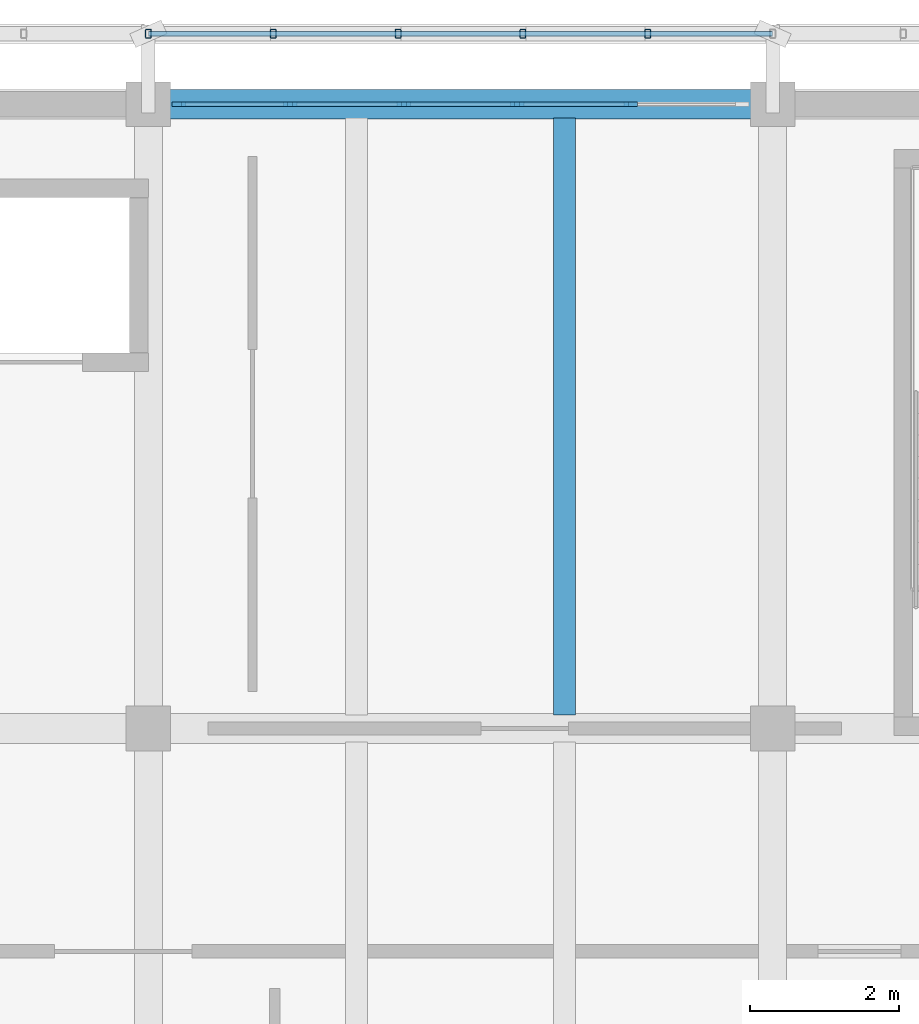
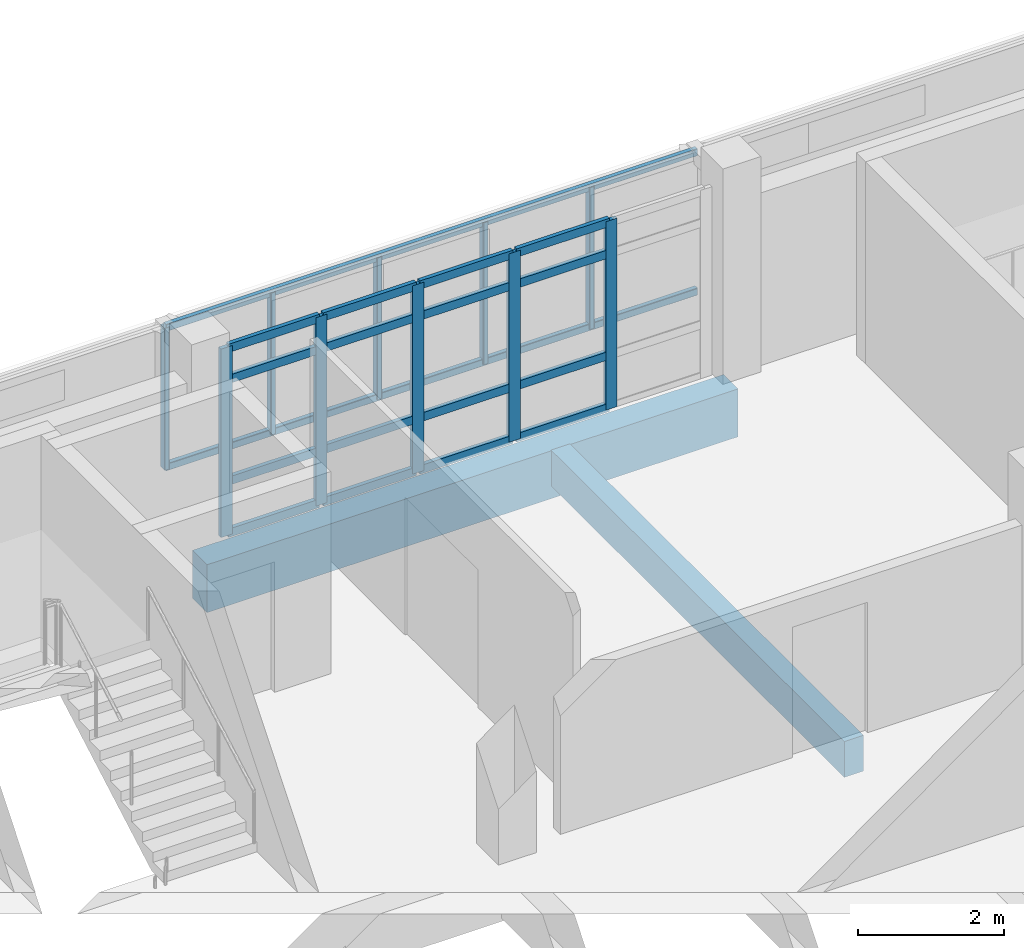
# One storey, part 21 of 50: 28 members, 2 beams, 1 element without a shape of its own.
"""IFC4 building model written with IfcOpenShell, lengths in metres."""

from ifc_helpers import new_model, si_unit, direction, frame, origin, origin_2d, place, context, subcontext, project, spatial, rectangle, hollow_rectangle, extrude, material, material_profile, profile_set, type_object, element, aggregate, save


model = new_model("IFC4")

# Units and contexts
model_context = context("Model", 3, precision=1e-05, world=origin(), true_north=direction((0.0, 1.0)))
body_context = subcontext(model_context, "Body", "Model", "MODEL_VIEW")
ifc_project = project(units=[si_unit("LENGTHUNIT", "METRE"), si_unit("AREAUNIT", "SQUARE_METRE"), si_unit("VOLUMEUNIT", "CUBIC_METRE"), si_unit("PLANEANGLEUNIT", "RADIAN"), si_unit("MASSUNIT", "GRAM", prefix="KILO")], contexts=[model_context])

# Site, building, storey
site_placement = place(None, origin())
site = spatial("IfcSite", under=ifc_project, at=site_placement, CompositionType="ELEMENT")
building_placement = place(site_placement, origin())
building = spatial("IfcBuilding", under=site, at=building_placement, Name="Cinderway Yard Community Centre", CompositionType="ELEMENT")
storey_placement = place(building_placement, frame((0.0, 0.0, 12.89990234375)))
storey = spatial("IfcBuildingStorey", under=building, at=storey_placement, Name="L03", CompositionType="ELEMENT", Elevation=12.89990234375)

# Curtain wall, members
ifc_material_1 = material(Name="Aluminium 6063-T6", Category="aluminium")
curtain_wall_type = type_object("IfcCurtainWallType", Name="ENV-CW-TYPE-32", PredefinedType="USERDEFINED", material=ifc_material_1)
curtain_wall_placement = place(storey_placement, origin())
curtain_wall = element("IfcCurtainWall", 1, at=curtain_wall_placement, inside=storey, type_object=curtain_wall_type, Name="V4 Street Curtain Wall ENV-CW-L03-HS-0163", ObjectType="GLAZED CURTAIN WALL", PredefinedType="USERDEFINED")
ifc_material_profile_1 = material_profile(ifc_material_1, rectangle(XDim=0.06494140625, YDim=0.179931640625, at=origin_2d()), Name="Aluminium 6063-T6")
ifc_profile_set_1 = profile_set([ifc_material_profile_1], Name="Aluminium 6063-T6")
member_type_1 = type_object("IfcMemberType", Name="ENV-CW-MULL-180", PredefinedType="MULLION", material=ifc_profile_set_1)
member_1_placement = place(storey_placement, frame((67.2099609375, 115.199951171875, 0.0), z_axis=(0.0, 0.0, 1.0), x_axis=(0.0, 1.0, 0.0)))
member_1 = element("IfcMember", 2, at=member_1_placement, type_object=member_type_1, Name="CW-32 mullion 1", PredefinedType="MULLION", context=body_context, shape_type="SweptSolid", body=[
    extrude(rectangle(XDim=0.06494140625, YDim=0.179931640625, at=origin_2d()), origin(), (0.0, 0.0, 1.0), 3.150146484375),
])
member_2_placement = place(storey_placement, frame((68.7080078125, 115.199951171875, 0.0), z_axis=(0.0, 0.0, 1.0), x_axis=(0.0, 1.0, 0.0)))
member_2 = element("IfcMember", 3, at=member_2_placement, type_object=member_type_1, Name="CW-32 mullion 2", PredefinedType="MULLION", context=body_context, shape_type="SweptSolid", body=[
    extrude(rectangle(XDim=0.06494140625, YDim=0.179931640625, at=origin_2d()), origin(), (0.0, 0.0, 1.0), 3.150146484375),
])
member_3_placement = place(storey_placement, frame((70.236083984375, 115.199951171875, 0.0), z_axis=(0.0, 0.0, 1.0), x_axis=(0.0, 1.0, 0.0)))
member_3 = element("IfcMember", 4, at=member_3_placement, type_object=member_type_1, Name="CW-32 mullion 3", PredefinedType="MULLION", context=body_context, shape_type="SweptSolid", body=[
    extrude(rectangle(XDim=0.06494140625, YDim=0.179931640625, at=origin_2d()), origin(), (0.0, 0.0, 1.0), 3.150146484375),
])
member_4_placement = place(storey_placement, frame((71.763916015625, 115.199951171875, 0.0), z_axis=(0.0, 0.0, 1.0), x_axis=(0.0, 1.0, 0.0)))
member_4 = element("IfcMember", 5, at=member_4_placement, type_object=member_type_1, Name="CW-32 mullion 4", PredefinedType="MULLION", context=body_context, shape_type="SweptSolid", body=[
    extrude(rectangle(XDim=0.06494140625, YDim=0.179931640625, at=origin_2d()), origin(), (0.0, 0.0, 1.0), 3.150146484375),
])
member_5_placement = place(storey_placement, frame((73.2919921875, 115.199951171875, 0.0), z_axis=(0.0, 0.0, 1.0), x_axis=(0.0, 1.0, 0.0)))
member_5 = element("IfcMember", 6, at=member_5_placement, type_object=member_type_1, Name="CW-32 mullion 5", PredefinedType="MULLION", context=body_context, shape_type="SweptSolid", body=[
    extrude(rectangle(XDim=0.06494140625, YDim=0.179931640625, at=origin_2d()), origin(), (0.0, 0.0, 1.0), 3.150146484375),
])
ifc_material_profile_2 = material_profile(ifc_material_1, rectangle(XDim=0.06494140625, YDim=0.139892578125, at=origin_2d()), Name="Aluminium 6063-T6")
ifc_profile_set_2 = profile_set([ifc_material_profile_2], Name="Aluminium 6063-T6")
member_type_2 = type_object("IfcMemberType", Name="ENV-CW-TRAN-140", PredefinedType="USERDEFINED", material=ifc_profile_set_2)
member_6_placement = place(storey_placement, frame((67.239990234375, 115.199951171875, 0.030029296875), z_axis=(1.0, 0.0, 0.0), x_axis=(0.0, 1.0, 0.0)))
member_6 = element("IfcMember", 7, at=member_6_placement, type_object=member_type_2, Name="CW-32 transom 1.1", ObjectType="TRANSOM", PredefinedType="USERDEFINED", context=body_context, shape_type="SweptSolid", body=[
    extrude(rectangle(XDim=0.06494140625, YDim=0.139892578125, at=origin_2d()), origin(), (0.0, 0.0, 1.0), 1.43798828125),
])
member_7_placement = place(storey_placement, frame((67.239990234375, 115.199951171875, 0.900146484375), z_axis=(1.0, 0.0, 0.0), x_axis=(0.0, 1.0, 0.0)))
member_7 = element("IfcMember", 8, at=member_7_placement, type_object=member_type_2, Name="CW-32 transom 1.2", ObjectType="TRANSOM", PredefinedType="USERDEFINED", context=body_context, shape_type="SweptSolid", body=[
    extrude(rectangle(XDim=0.06494140625, YDim=0.139892578125, at=origin_2d()), origin(), (0.0, 0.0, 1.0), 1.43798828125),
])
member_8_placement = place(storey_placement, frame((67.239990234375, 115.199951171875, 2.60009765625), z_axis=(1.0, 0.0, 0.0), x_axis=(0.0, 1.0, 0.0)))
member_8 = element("IfcMember", 9, at=member_8_placement, type_object=member_type_2, Name="CW-32 transom 1.3", ObjectType="TRANSOM", PredefinedType="USERDEFINED", context=body_context, shape_type="SweptSolid", body=[
    extrude(rectangle(XDim=0.06494140625, YDim=0.139892578125, at=origin_2d()), origin(), (0.0, 0.0, 1.0), 1.43798828125),
])
member_9_placement = place(storey_placement, frame((67.239990234375, 115.199951171875, 3.1201171875), z_axis=(1.0, 0.0, 0.0), x_axis=(0.0, 1.0, 0.0)))
member_9 = element("IfcMember", 10, at=member_9_placement, type_object=member_type_2, Name="CW-32 transom 1.4", ObjectType="TRANSOM", PredefinedType="USERDEFINED", context=body_context, shape_type="SweptSolid", body=[
    extrude(rectangle(XDim=0.06494140625, YDim=0.139892578125, at=origin_2d()), origin(), (0.0, 0.0, 1.0), 1.43798828125),
])
member_10_placement = place(storey_placement, frame((68.738037109375, 115.199951171875, 0.030029296875), z_axis=(1.0, 0.0, 0.0), x_axis=(0.0, 1.0, 0.0)))
member_10 = element("IfcMember", 11, at=member_10_placement, type_object=member_type_2, Name="CW-32 transom 2.1", ObjectType="TRANSOM", PredefinedType="USERDEFINED", context=body_context, shape_type="SweptSolid", body=[
    extrude(rectangle(XDim=0.06494140625, YDim=0.139892578125, at=origin_2d()), origin(), (0.0, 0.0, 1.0), 1.468017578125),
])
member_11_placement = place(storey_placement, frame((68.738037109375, 115.199951171875, 0.900146484375), z_axis=(1.0, 0.0, 0.0), x_axis=(0.0, 1.0, 0.0)))
member_11 = element("IfcMember", 12, at=member_11_placement, type_object=member_type_2, Name="CW-32 transom 2.2", ObjectType="TRANSOM", PredefinedType="USERDEFINED", context=body_context, shape_type="SweptSolid", body=[
    extrude(rectangle(XDim=0.06494140625, YDim=0.139892578125, at=origin_2d()), origin(), (0.0, 0.0, 1.0), 1.468017578125),
])
member_12_placement = place(storey_placement, frame((68.738037109375, 115.199951171875, 2.60009765625), z_axis=(1.0, 0.0, 0.0), x_axis=(0.0, 1.0, 0.0)))
member_12 = element("IfcMember", 13, at=member_12_placement, type_object=member_type_2, Name="CW-32 transom 2.3", ObjectType="TRANSOM", PredefinedType="USERDEFINED", context=body_context, shape_type="SweptSolid", body=[
    extrude(rectangle(XDim=0.06494140625, YDim=0.139892578125, at=origin_2d()), origin(), (0.0, 0.0, 1.0), 1.468017578125),
])
member_13_placement = place(storey_placement, frame((68.738037109375, 115.199951171875, 3.1201171875), z_axis=(1.0, 0.0, 0.0), x_axis=(0.0, 1.0, 0.0)))
member_13 = element("IfcMember", 14, at=member_13_placement, type_object=member_type_2, Name="CW-32 transom 2.4", ObjectType="TRANSOM", PredefinedType="USERDEFINED", context=body_context, shape_type="SweptSolid", body=[
    extrude(rectangle(XDim=0.06494140625, YDim=0.139892578125, at=origin_2d()), origin(), (0.0, 0.0, 1.0), 1.468017578125),
])
member_14_placement = place(storey_placement, frame((70.26611328125, 115.199951171875, 0.030029296875), z_axis=(1.0, 0.0, 0.0), x_axis=(0.0, 1.0, 0.0)))
member_14 = element("IfcMember", 15, at=member_14_placement, type_object=member_type_2, Name="CW-32 transom 3.1", ObjectType="TRANSOM", PredefinedType="USERDEFINED", context=body_context, shape_type="SweptSolid", body=[
    extrude(rectangle(XDim=0.06494140625, YDim=0.139892578125, at=origin_2d()), origin(), (0.0, 0.0, 1.0), 1.4677734375),
])
member_15_placement = place(storey_placement, frame((70.26611328125, 115.199951171875, 0.900146484375), z_axis=(1.0, 0.0, 0.0), x_axis=(0.0, 1.0, 0.0)))
member_15 = element("IfcMember", 16, at=member_15_placement, type_object=member_type_2, Name="CW-32 transom 3.2", ObjectType="TRANSOM", PredefinedType="USERDEFINED", context=body_context, shape_type="SweptSolid", body=[
    extrude(rectangle(XDim=0.06494140625, YDim=0.139892578125, at=origin_2d()), origin(), (0.0, 0.0, 1.0), 1.4677734375),
])
member_16_placement = place(storey_placement, frame((70.26611328125, 115.199951171875, 2.60009765625), z_axis=(1.0, 0.0, 0.0), x_axis=(0.0, 1.0, 0.0)))
member_16 = element("IfcMember", 17, at=member_16_placement, type_object=member_type_2, Name="CW-32 transom 3.3", ObjectType="TRANSOM", PredefinedType="USERDEFINED", context=body_context, shape_type="SweptSolid", body=[
    extrude(rectangle(XDim=0.06494140625, YDim=0.139892578125, at=origin_2d()), origin(), (0.0, 0.0, 1.0), 1.4677734375),
])
member_17_placement = place(storey_placement, frame((70.26611328125, 115.199951171875, 3.1201171875), z_axis=(1.0, 0.0, 0.0), x_axis=(0.0, 1.0, 0.0)))
member_17 = element("IfcMember", 18, at=member_17_placement, type_object=member_type_2, Name="CW-32 transom 3.4", ObjectType="TRANSOM", PredefinedType="USERDEFINED", context=body_context, shape_type="SweptSolid", body=[
    extrude(rectangle(XDim=0.06494140625, YDim=0.139892578125, at=origin_2d()), origin(), (0.0, 0.0, 1.0), 1.4677734375),
])
member_18_placement = place(storey_placement, frame((71.7939453125, 115.199951171875, 0.030029296875), z_axis=(1.0, 0.0, 0.0), x_axis=(0.0, 1.0, 0.0)))
member_18 = element("IfcMember", 19, at=member_18_placement, type_object=member_type_2, Name="CW-32 transom 4.1", ObjectType="TRANSOM", PredefinedType="USERDEFINED", context=body_context, shape_type="SweptSolid", body=[
    extrude(rectangle(XDim=0.06494140625, YDim=0.139892578125, at=origin_2d()), origin(), (0.0, 0.0, 1.0), 1.468017578125),
])
member_19_placement = place(storey_placement, frame((71.7939453125, 115.199951171875, 0.900146484375), z_axis=(1.0, 0.0, 0.0), x_axis=(0.0, 1.0, 0.0)))
member_19 = element("IfcMember", 20, at=member_19_placement, type_object=member_type_2, Name="CW-32 transom 4.2", ObjectType="TRANSOM", PredefinedType="USERDEFINED", context=body_context, shape_type="SweptSolid", body=[
    extrude(rectangle(XDim=0.06494140625, YDim=0.139892578125, at=origin_2d()), origin(), (0.0, 0.0, 1.0), 1.468017578125),
])
member_20_placement = place(storey_placement, frame((71.7939453125, 115.199951171875, 2.60009765625), z_axis=(1.0, 0.0, 0.0), x_axis=(0.0, 1.0, 0.0)))
member_20 = element("IfcMember", 21, at=member_20_placement, type_object=member_type_2, Name="CW-32 transom 4.3", ObjectType="TRANSOM", PredefinedType="USERDEFINED", context=body_context, shape_type="SweptSolid", body=[
    extrude(rectangle(XDim=0.06494140625, YDim=0.139892578125, at=origin_2d()), origin(), (0.0, 0.0, 1.0), 1.468017578125),
])
member_21_placement = place(storey_placement, frame((71.7939453125, 115.199951171875, 3.1201171875), z_axis=(1.0, 0.0, 0.0), x_axis=(0.0, 1.0, 0.0)))
member_21 = element("IfcMember", 22, at=member_21_placement, type_object=member_type_2, Name="CW-32 transom 4.4", ObjectType="TRANSOM", PredefinedType="USERDEFINED", context=body_context, shape_type="SweptSolid", body=[
    extrude(rectangle(XDim=0.06494140625, YDim=0.139892578125, at=origin_2d()), origin(), (0.0, 0.0, 1.0), 1.468017578125),
])
aggregate(curtain_wall, [member_1, member_2, member_3, member_4, member_5, member_6, member_7, member_8, member_9, member_10, member_11, member_12, member_13, member_14, member_15, member_16, member_17, member_18, member_19, member_20, member_21])

# Members
ifc_material_2 = material(Name="Steel S355", Category="steel")
ifc_material_profile_3 = material_profile(ifc_material_2, hollow_rectangle(XDim=0.080078125, YDim=0.1201171875, WallThickness=0.00634765625, InnerFilletRadius=0.00634765625, OuterFilletRadius=0.0126953125, at=origin_2d()), Name="Steel S355")
ifc_profile_set_3 = profile_set([ifc_material_profile_3], Name="Steel S355")
member_type_3 = type_object("IfcMemberType", Name="ENV-MEM-SCREEN-RAIL-120", PredefinedType="STRINGER", material=ifc_profile_set_3)
member_22_placement = place(storey_placement, frame((66.800048828125, 116.14990234375, 0.690185546875), z_axis=(0.0, 0.0, 1.0), x_axis=(1.0, 0.0, 0.0)))
element("IfcMember", 23, at=member_22_placement, inside=storey, type_object=member_type_3, Name="Screen vertical mullion 0202", PredefinedType="STRINGER", context=body_context, shape_type="SweptSolid", body=[
    extrude(hollow_rectangle(XDim=0.080078125, YDim=0.1201171875, WallThickness=0.00634765625, InnerFilletRadius=0.00634765625, OuterFilletRadius=0.0126953125, at=origin_2d()), origin(), (0.0, 0.0, 1.0), 2.369873046875),
])
for number, where, z_axis, x_axis, name in (
    (24, (66.800048828125, 116.14990234375, 0.710205078125), (1.0, 0.0, 0.0), (0.0, 1.0, 0.0), "Screen support rail 0204-BOT"),
    (25, (66.800048828125, 116.14990234375, 3.0400390625), (1.0, 0.0, 0.0), (0.0, 1.0, 0.0), "Screen support rail 0205-TOP"),
):
    element("IfcMember", number, at=place(storey_placement, frame(where, z_axis=z_axis, x_axis=x_axis)), inside=storey, type_object=member_type_3, Name=name, PredefinedType="STRINGER", context=body_context, shape_type="SweptSolid", body=[
        extrude(hollow_rectangle(XDim=0.080078125, YDim=0.1201171875, WallThickness=0.00634765625, InnerFilletRadius=0.00634765625, OuterFilletRadius=0.0126953125, at=origin_2d()), origin(), (0.0, 0.0, 1.0), 8.39990234375),
    ])
for number, where, z_axis, x_axis, name in (
    (26, (68.47998046875, 116.14990234375, 0.690185546875), (0.0, 0.0, 1.0), (1.0, 0.0, 0.0), "Screen vertical mullion 0206"),
    (27, (70.159912109375, 116.14990234375, 0.690185546875), (0.0, 0.0, 1.0), (1.0, 0.0, 0.0), "Screen vertical mullion 0207"),
    (28, (71.840087890625, 116.14990234375, 0.690185546875), (0.0, 0.0, 1.0), (1.0, 0.0, 0.0), "Screen vertical mullion 0208"),
    (29, (73.52001953125, 116.14990234375, 0.690185546875), (0.0, 0.0, 1.0), (1.0, 0.0, 0.0), "Screen vertical mullion 0209"),
):
    element("IfcMember", number, at=place(storey_placement, frame(where, z_axis=z_axis, x_axis=x_axis)), inside=storey, type_object=member_type_3, Name=name, PredefinedType="STRINGER", context=body_context, shape_type="SweptSolid", body=[
        extrude(hollow_rectangle(XDim=0.080078125, YDim=0.1201171875, WallThickness=0.00634765625, InnerFilletRadius=0.00634765625, OuterFilletRadius=0.0126953125, at=origin_2d()), origin(), (0.0, 0.0, 1.0), 2.369873046875),
    ])

# Beams
ifc_material_3 = material(Name="Concrete C35/45", Category="concrete")
ifc_material_profile_4 = material_profile(ifc_material_3, rectangle(XDim=0.300048828125, YDim=0.60009765625, at=origin_2d()), Name="Concrete C35/45")
ifc_profile_set_4 = profile_set([ifc_material_profile_4], Name="Concrete C35/45")
beam_type_1 = type_object("IfcBeamType", Name="STR-BM-RC300X600", PredefinedType="JOIST", material=ifc_profile_set_4)
beam_1_placement = place(storey_placement, frame((72.39990234375, 106.98193359375, -0.539794921875), z_axis=(0.0, 1.0, 0.0), x_axis=(-1.0, 0.0, 0.0)))
element("IfcBeam", 30, at=beam_1_placement, inside=storey, type_object=beam_type_1, Name="Secondary joist STR-BM-L03-BJ02-0771", PredefinedType="JOIST", context=body_context, shape_type="SweptSolid", body=[
    extrude(rectangle(XDim=0.300048828125, YDim=0.60009765625, at=origin_2d()), origin(), (0.0, 0.0, 1.0), 8.0361328125),
])
ifc_material_4 = material(Name="Concrete C40/50", Category="concrete")
ifc_material_profile_5 = material_profile(ifc_material_4, rectangle(XDim=0.39990234375, YDim=0.800048828125, at=origin_2d()), Name="Concrete C40/50")
ifc_profile_set_5 = profile_set([ifc_material_profile_5], Name="Concrete C40/50")
beam_type_2 = type_object("IfcBeamType", Name="STR-BM-RC400X800", PredefinedType="BEAM", material=ifc_profile_set_5)
beam_2_placement = place(storey_placement, frame((66.800048828125, 115.199951171875, -0.639892578125), z_axis=(1.0, 0.0, 0.0), x_axis=(0.0, 1.0, 0.0)))
element("IfcBeam", 31, at=beam_2_placement, inside=storey, type_object=beam_type_2, Name="Primary girder STR-BM-L03-BG05-0706", PredefinedType="BEAM", context=body_context, shape_type="SweptSolid", body=[
    extrude(rectangle(XDim=0.39990234375, YDim=0.800048828125, at=origin_2d()), origin(), (0.0, 0.0, 1.0), 8.39990234375),
])

save(model, "model.ifc")
